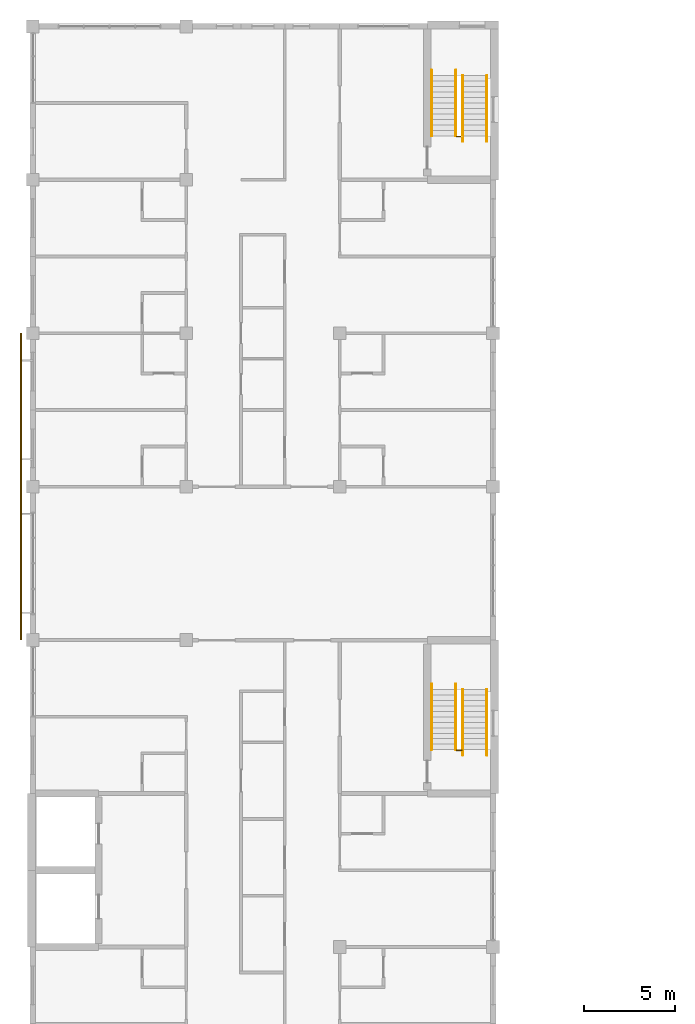
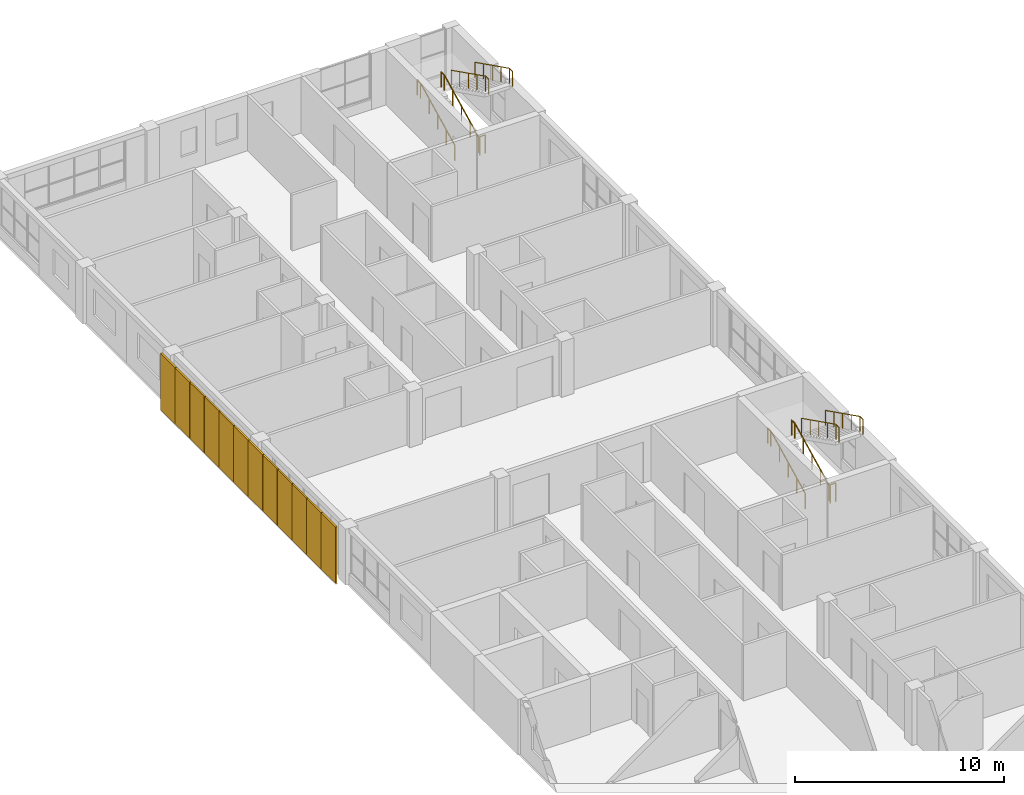
# One storey, part 59 of 61: 12 shading devices, 10 railings.
"""IFC4 building model written with IfcOpenShell, lengths in metres."""

from ifc_helpers import new_model, si_unit, direction, frame, origin, origin_2d, place, context, subcontext, project, spatial, rectangle, circle, extrude, material, layer, layer_set, type_object, element, save


model = new_model("IFC4")

# Units and contexts
model_context = context("Model", 3, precision=1e-05, world=origin(), true_north=direction((0.0, 1.0)))
body_context = subcontext(model_context, "Body", "Model", "MODEL_VIEW")
ifc_project = project(units=[si_unit("LENGTHUNIT", "METRE"), si_unit("AREAUNIT", "SQUARE_METRE"), si_unit("VOLUMEUNIT", "CUBIC_METRE"), si_unit("PLANEANGLEUNIT", "RADIAN"), si_unit("MASSUNIT", "GRAM", prefix="KILO")], contexts=[model_context])

# Site, building, storey
site_placement = place(None, origin())
site = spatial("IfcSite", under=ifc_project, at=site_placement, CompositionType="ELEMENT")
building_placement = place(site_placement, origin())
building = spatial("IfcBuilding", under=site, at=building_placement, Name="Yavir Park General Hospital", CompositionType="ELEMENT")
storey_placement = place(building_placement, frame((0.0, 0.0, 15.300048828125)))
storey = spatial("IfcBuildingStorey", under=building, at=storey_placement, Name="L03", CompositionType="ELEMENT", Elevation=15.300048828125)

# Shading devices
ifc_material_1 = material(Name="Precast concrete perforated block panel", Category="concrete")
ifc_layer = layer(ifc_material_1, 0.092041015625)
ifc_layer_set = layer_set([ifc_layer], Name="Precast concrete perforated block panel")
shading_device_type = type_object("IfcShadingDeviceType", Name="Precast breeze-block screen panel 1380 x 3300 x 92", PredefinedType="JALOUSIE", material=ifc_layer_set)
for number, where, z_axis, x_axis, name in (
    (1, (-0.64990234375, 84.699951171875, 0.0), (0.0, 0.0, 1.0), (1.0, 0.0, 0.0), "Screen panel W11.1.1"),
    (2, (-0.64990234375, 86.10009765625, 0.0), (0.0, 0.0, 1.0), (1.0, 0.0, 0.0), "Screen panel W11.1.2"),
    (3, (-0.64990234375, 87.5, 0.0), (0.0, 0.0, 1.0), (1.0, 0.0, 0.0), "Screen panel W11.1.3"),
    (4, (-0.64990234375, 88.89990234375, 0.0), (0.0, 0.0, 1.0), (1.0, 0.0, 0.0), "Screen panel W11.1.4"),
    (5, (-0.64990234375, 90.300048828125, 0.0), (0.0, 0.0, 1.0), (1.0, 0.0, 0.0), "Screen panel W11.1.5"),
    (6, (-0.64990234375, 91.699951171875, 0.0), (0.0, 0.0, 1.0), (1.0, 0.0, 0.0), "Screen panel W11.1.6"),
    (7, (-0.64990234375, 93.10009765625, 0.0), (0.0, 0.0, 1.0), (1.0, 0.0, 0.0), "Screen panel W12.1.1"),
    (8, (-0.64990234375, 94.5, 0.0), (0.0, 0.0, 1.0), (1.0, 0.0, 0.0), "Screen panel W12.1.2"),
    (9, (-0.64990234375, 95.89990234375, 0.0), (0.0, 0.0, 1.0), (1.0, 0.0, 0.0), "Screen panel W12.1.3"),
    (10, (-0.64990234375, 97.300048828125, 0.0), (0.0, 0.0, 1.0), (1.0, 0.0, 0.0), "Screen panel W12.1.4"),
    (11, (-0.64990234375, 98.699951171875, 0.0), (0.0, 0.0, 1.0), (1.0, 0.0, 0.0), "Screen panel W12.1.5"),
    (12, (-0.64990234375, 100.10009765625, 0.0), (0.0, 0.0, 1.0), (1.0, 0.0, 0.0), "Screen panel W12.1.6"),
):
    element("IfcShadingDevice", number, at=place(storey_placement, frame(where, z_axis=z_axis, x_axis=x_axis)), inside=storey, type_object=shading_device_type, Name=name, PredefinedType="JALOUSIE", context=body_context, shape_type="SweptSolid", body=[
        extrude(rectangle(XDim=0.092041015625, YDim=1.3798828125, at=origin_2d()), origin(), (0.0, 0.0, 1.0), 3.300048828125),
    ])

# Railings
ifc_material_2 = material(Name="Steel balustrade with infill rods", Category="steel")
railing_type_1 = type_object("IfcRailingType", Name="Stair guard, steel balustrade 1100 mm", PredefinedType="GUARDRAIL", material=ifc_material_2)
for number, where, name in (
    (13, (23.199951171875, 77.969970703125, 0.0), "Stair well guard SW2 L03"),
    (14, (23.199951171875, 111.570068359375, 0.0), "Stair well guard SW3 L03"),
):
    element("IfcRailing", number, at=place(storey_placement, frame(where)), inside=storey, type_object=railing_type_1, Name=name, PredefinedType="GUARDRAIL", context=body_context, shape_type="SweptSolid", body=[
        extrude(circle(Radius=0.02392578125, at=origin_2d()), frame((0.0, 0.0, 1.076171875), z_axis=(1.0, 0.0, 0.0), x_axis=(0.0, 1.0, 0.0)), (0.0, 0.0, 1.0), 0.300048828125),
        extrude(circle(Radius=0.02099609375, at=origin_2d()), origin(), (0.0, 0.0, 1.0), 1.052001953125),
        extrude(circle(Radius=0.02099609375, at=origin_2d()), frame((0.300048828125, 0.0, 0.0)), (0.0, 0.0, 1.0), 1.052001953125),
    ])
ifc_material_3 = material(Name="Stainless steel tube 48 mm", Category="steel")
railing_type_2 = type_object("IfcRailingType", Name="Stair handrail, steel tube, 900 mm above the nosings", PredefinedType="HANDRAIL", material=ifc_material_3)
for number, where, name in (
    (15, (21.840087890625, 78.0, 0.14990234375), "Handrail SW2 L03 1"),
    (16, (23.159912109375, 78.0, 0.14990234375), "Handrail SW2 L03 2"),
):
    element("IfcRailing", number, at=place(storey_placement, frame(where)), inside=storey, type_object=railing_type_2, Name=name, PredefinedType="HANDRAIL", context=body_context, shape_type="SweptSolid", body=[
        extrude(circle(Radius=0.02392578125, at=origin_2d()), frame((0.0, 0.0, 0.8759765625), z_axis=(0.0, 0.894413956696, 0.447240063129), x_axis=(-1.0, 0.0, 0.0)), (0.0, 0.0, 1.0), 3.689697265625),
        extrude(circle(Radius=0.02392578125, at=origin_2d()), frame((0.0, 3.300048828125, 2.52587890625), z_axis=(0.0, 1.0, 0.0), x_axis=(-1.0, 0.0, 0.0)), (0.0, 0.0, 1.0), 0.300048828125),
        extrude(circle(Radius=0.02099609375, at=origin_2d()), origin(), (0.0, 0.0, 1.0), 0.851806640625),
        extrude(circle(Radius=0.02099609375, at=origin_2d()), frame((0.0, 0.824951171875, 0.41259765625)), (0.0, 0.0, 1.0), 0.851806640625),
        extrude(circle(Radius=0.02099609375, at=origin_2d()), frame((0.0, 1.64990234375, 0.8251953125)), (0.0, 0.0, 1.0), 0.851806640625),
        extrude(circle(Radius=0.02099609375, at=origin_2d()), frame((0.0, 2.47509765625, 1.237548828125)), (0.0, 0.0, 1.0), 0.851806640625),
        extrude(circle(Radius=0.02099609375, at=origin_2d()), frame((0.0, 3.300048828125, 1.650146484375)), (0.0, 0.0, 1.0), 0.851806640625),
        extrude(circle(Radius=0.02099609375, at=origin_2d()), frame((0.0, 3.60009765625, 1.650146484375)), (0.0, 0.0, 1.0), 0.851806640625),
    ])
for number, where, name in (
    (17, (24.860107421875, 81.300048828125, 1.949951171875), "Handrail SW2 L03 3"),
    (18, (23.5400390625, 81.300048828125, 1.949951171875), "Handrail SW2 L03 4"),
):
    element("IfcRailing", number, at=place(storey_placement, frame(where)), inside=storey, type_object=railing_type_2, Name=name, PredefinedType="HANDRAIL", context=body_context, shape_type="SweptSolid", body=[
        extrude(circle(Radius=0.02392578125, at=origin_2d()), frame((0.0, 0.0, 0.8759765625), z_axis=(0.0, -0.894440424912, 0.447187126696), x_axis=(1.0, 0.0, 0.0)), (0.0, 0.0, 1.0), 3.689453125),
        extrude(circle(Radius=0.02392578125, at=origin_2d()), frame((0.0, -3.300048828125, 2.52587890625), z_axis=(0.0, -1.0, 0.0), x_axis=(1.0, 0.0, 0.0)), (0.0, 0.0, 1.0), 0.300048828125),
        extrude(circle(Radius=0.02099609375, at=origin_2d()), origin(), (0.0, 0.0, 1.0), 0.851806640625),
        extrude(circle(Radius=0.02099609375, at=origin_2d()), frame((0.0, -0.824951171875, 0.41259765625)), (0.0, 0.0, 1.0), 0.851806640625),
        extrude(circle(Radius=0.02099609375, at=origin_2d()), frame((0.0, -1.64990234375, 0.824951171875)), (0.0, 0.0, 1.0), 0.851806640625),
        extrude(circle(Radius=0.02099609375, at=origin_2d()), frame((0.0, -2.47509765625, 1.2373046875)), (0.0, 0.0, 1.0), 0.851806640625),
        extrude(circle(Radius=0.02099609375, at=origin_2d()), frame((0.0, -3.300048828125, 1.64990234375)), (0.0, 0.0, 1.0), 0.851806640625),
        extrude(circle(Radius=0.02099609375, at=origin_2d()), frame((0.0, -3.60009765625, 1.64990234375)), (0.0, 0.0, 1.0), 0.851806640625),
    ])
for number, where, name in (
    (19, (21.840087890625, 111.60009765625, 0.14990234375), "Handrail SW3 L03 1"),
    (20, (23.159912109375, 111.60009765625, 0.14990234375), "Handrail SW3 L03 2"),
):
    element("IfcRailing", number, at=place(storey_placement, frame(where)), inside=storey, type_object=railing_type_2, Name=name, PredefinedType="HANDRAIL", context=body_context, shape_type="SweptSolid", body=[
        extrude(circle(Radius=0.02392578125, at=origin_2d()), frame((0.0, 0.0, 0.8759765625), z_axis=(0.0, 0.894400720042, 0.447266533499), x_axis=(-1.0, 0.0, 0.0)), (0.0, 0.0, 1.0), 3.689453125),
        extrude(circle(Radius=0.02392578125, at=origin_2d()), frame((0.0, 3.2998046875, 2.52587890625), z_axis=(0.0, 1.0, 0.0), x_axis=(-1.0, 0.0, 0.0)), (0.0, 0.0, 1.0), 0.300048828125),
        extrude(circle(Radius=0.02099609375, at=origin_2d()), origin(), (0.0, 0.0, 1.0), 0.851806640625),
        extrude(circle(Radius=0.02099609375, at=origin_2d()), frame((0.0, 0.824951171875, 0.41259765625)), (0.0, 0.0, 1.0), 0.851806640625),
        extrude(circle(Radius=0.02099609375, at=origin_2d()), frame((0.0, 1.64990234375, 0.8251953125)), (0.0, 0.0, 1.0), 0.851806640625),
        extrude(circle(Radius=0.02099609375, at=origin_2d()), frame((0.0, 2.474853515625, 1.237548828125)), (0.0, 0.0, 1.0), 0.851806640625),
        extrude(circle(Radius=0.02099609375, at=origin_2d()), frame((0.0, 3.2998046875, 1.650146484375)), (0.0, 0.0, 1.0), 0.851806640625),
        extrude(circle(Radius=0.02099609375, at=origin_2d()), frame((0.0, 3.599853515625, 1.650146484375)), (0.0, 0.0, 1.0), 0.851806640625),
    ])
for number, where, name in (
    (21, (24.860107421875, 114.89990234375, 1.949951171875), "Handrail SW3 L03 3"),
    (22, (23.5400390625, 114.89990234375, 1.949951171875), "Handrail SW3 L03 4"),
):
    element("IfcRailing", number, at=place(storey_placement, frame(where)), inside=storey, type_object=railing_type_2, Name=name, PredefinedType="HANDRAIL", context=body_context, shape_type="SweptSolid", body=[
        extrude(circle(Radius=0.02392578125, at=origin_2d()), frame((0.0, 0.0, 0.8759765625), z_axis=(0.0, -0.894427191, 0.4472135955), x_axis=(1.0, 0.0, 0.0)), (0.0, 0.0, 1.0), 3.689208984375),
        extrude(circle(Radius=0.02392578125, at=origin_2d()), frame((0.0, -3.2998046875, 2.52587890625), z_axis=(0.0, -1.0, 0.0), x_axis=(1.0, 0.0, 0.0)), (0.0, 0.0, 1.0), 0.300048828125),
        extrude(circle(Radius=0.02099609375, at=origin_2d()), origin(), (0.0, 0.0, 1.0), 0.851806640625),
        extrude(circle(Radius=0.02099609375, at=origin_2d()), frame((0.0, -0.824951171875, 0.41259765625)), (0.0, 0.0, 1.0), 0.851806640625),
        extrude(circle(Radius=0.02099609375, at=origin_2d()), frame((0.0, -1.64990234375, 0.824951171875)), (0.0, 0.0, 1.0), 0.851806640625),
        extrude(circle(Radius=0.02099609375, at=origin_2d()), frame((0.0, -2.474853515625, 1.2373046875)), (0.0, 0.0, 1.0), 0.851806640625),
        extrude(circle(Radius=0.02099609375, at=origin_2d()), frame((0.0, -3.2998046875, 1.64990234375)), (0.0, 0.0, 1.0), 0.851806640625),
        extrude(circle(Radius=0.02099609375, at=origin_2d()), frame((0.0, -3.599853515625, 1.64990234375)), (0.0, 0.0, 1.0), 0.851806640625),
    ])

save(model, "model.ifc")
